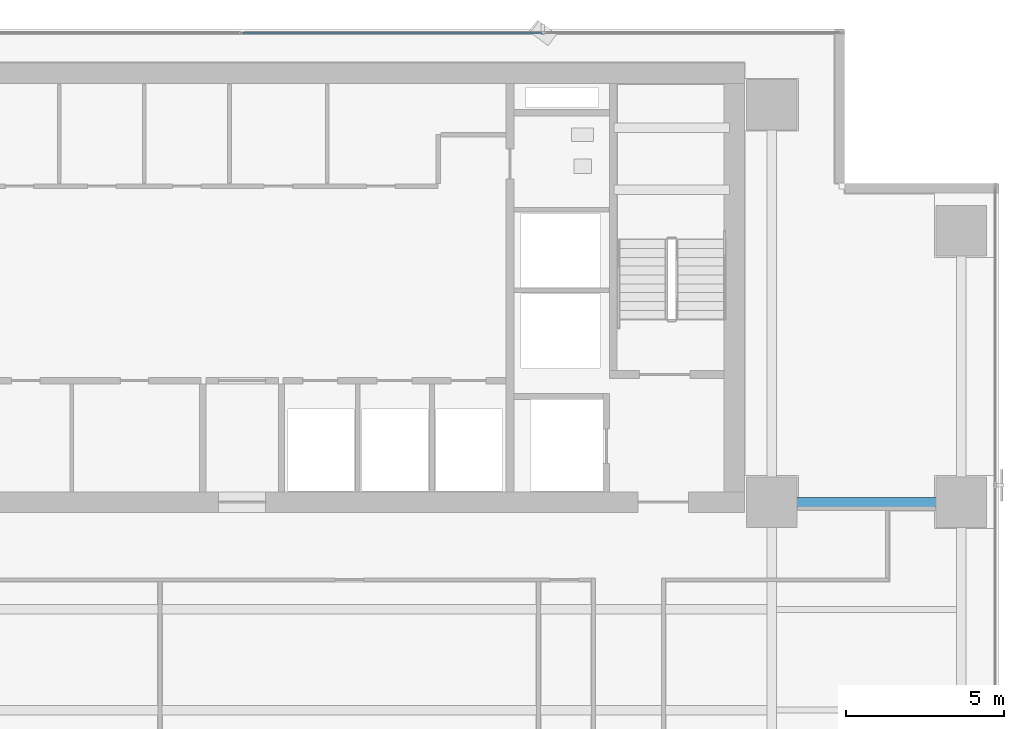
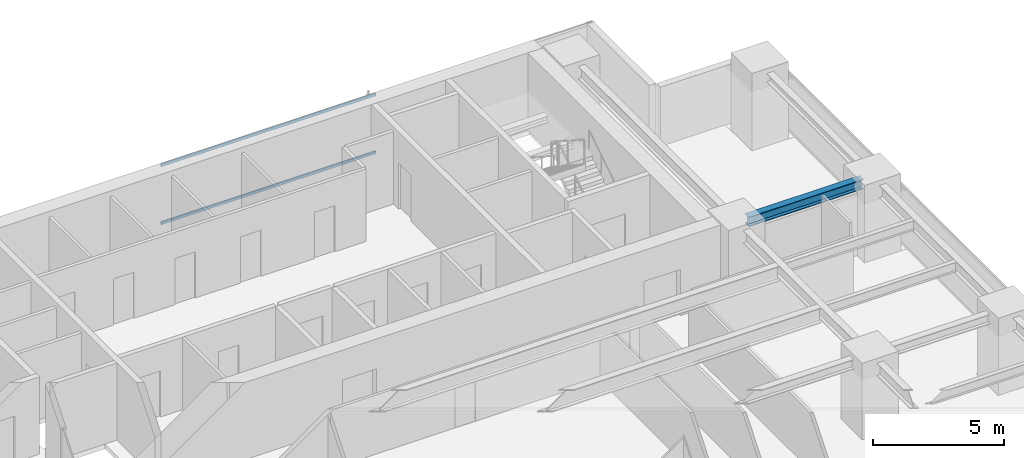
# One storey, part 17 of 27: 2 members, 1 beam, 1 element without a shape of its own.
"""IFC4 building model written with IfcOpenShell, lengths in metres."""

import ifcopenshell
import ifcopenshell.guid

model = None  # the IFC model being written
_history = None  # IfcOwnerHistory: only IFC2X3 demands one
_inside = {}  # id of a spatial element -> (the spatial element, [elements in it])
_under = {}  # id of a project, library or spatial element -> (it, [spatial elements below it])
_declared = {}  # id of a project -> (the project, [libraries it declares])
_typed = {}  # id of a type object -> (the type object, [elements of that type])
_made_of = {}  # id of a material, layer set ... -> (it, [elements and type objects made of it])


def new_model(schema):
    """Start an empty IFC model of exactly this schema.

    Asked for "IFC4X3", IfcOpenShell would pick the latest addendum, in which some entities
    have other attributes; the version numbers below select the first issue.
    IFC2X3 requires an IfcOwnerHistory on every rooted entity: one is made here for all.
    """
    global model, _history
    if schema == "IFC4X3":
        model = ifcopenshell.file(schema_version=(4, 3, 0, 0))
    else:
        model = ifcopenshell.file(schema=schema)
    _inside.clear()
    _under.clear()
    _declared.clear()
    _typed.clear()
    _made_of.clear()
    _history = None
    if model.schema == "IFC2X3":
        org = make("IfcOrganization", Name="unknown")
        user = make(
            "IfcPersonAndOrganization",
            ThePerson=make("IfcPerson", FamilyName="unknown"),
            TheOrganization=org,
        )
        app = make(
            "IfcApplication",
            ApplicationDeveloper=org,
            Version="unknown",
            ApplicationFullName="unknown",
            ApplicationIdentifier="unknown",
        )
        _history = make(
            "IfcOwnerHistory",
            OwningUser=user,
            OwningApplication=app,
            ChangeAction="ADDED",
            CreationDate=0,
        )
    return model


def make(cls, **values):
    """One entity of the class cls with the attributes given. An attribute that is None is left unset."""
    return model.create_entity(
        cls, **{name: value for name, value in values.items() if value is not None}
    )


def rooted(cls, **values):
    """An entity with a GlobalId (a new one), such as an element, a storey or a relation."""
    return make(cls, GlobalId=ifcopenshell.guid.new(), OwnerHistory=_history, **values)


def si_unit(unit_type, name, prefix=None):
    """IfcSIUnit, for example si_unit("LENGTHUNIT", "METRE", prefix="MILLI")."""
    return make("IfcSIUnit", UnitType=unit_type, Prefix=prefix, Name=name)


def assignment(units):
    """IfcUnitAssignment: the units of a project."""
    return None if units is None else make("IfcUnitAssignment", Units=units)


def point(xyz):
    """IfcCartesianPoint."""
    return None if xyz is None else make("IfcCartesianPoint", Coordinates=xyz)


def direction(xyz):
    """IfcDirection."""
    return None if xyz is None else make("IfcDirection", DirectionRatios=xyz)


def frame(location, z_axis=None, x_axis=None):
    """IfcAxis2Placement3D, a coordinate frame: its origin and axes. An axis left out is left unset."""
    return make(
        "IfcAxis2Placement3D",
        Location=point(location),
        Axis=direction(z_axis),
        RefDirection=direction(x_axis),
    )


def frame_2d(location, x_axis=None):
    """IfcAxis2Placement2D, a coordinate frame in the plane: its origin and x axis."""
    return make(
        "IfcAxis2Placement2D", Location=point(location), RefDirection=direction(x_axis)
    )


def origin():
    """The frame at (0, 0, 0) with its axes left unset."""
    return frame((0.0, 0.0, 0.0))


def origin_2d():
    """The frame at (0, 0) in the plane with its x axis left unset."""
    return frame_2d((0.0, 0.0))


def place(relative_to, where):
    """IfcLocalPlacement: puts the frame where relative to a parent placement (None: the world)."""
    return make(
        "IfcLocalPlacement", PlacementRelTo=relative_to, RelativePlacement=where
    )


def context(
    kind, dimensions, precision=None, world=None, true_north=None, identifier=None
):
    """IfcGeometricRepresentationContext, for example the 3D "Model" context."""
    return make(
        "IfcGeometricRepresentationContext",
        ContextIdentifier=identifier,
        ContextType=kind,
        CoordinateSpaceDimension=dimensions,
        Precision=precision,
        WorldCoordinateSystem=world,
        TrueNorth=true_north,
    )


def subcontext(parent, identifier, kind, view, scale=None):
    """IfcGeometricRepresentationSubContext, for example "Body" below "Model"."""
    return make(
        "IfcGeometricRepresentationSubContext",
        ContextIdentifier=identifier,
        ContextType=kind,
        ParentContext=parent,
        TargetScale=scale,
        TargetView=view,
    )


def project(units=None, contexts=None):
    """IfcProject with its units and contexts."""
    return rooted(
        "IfcProject",
        Name="project",
        RepresentationContexts=contexts,
        UnitsInContext=assignment(units),
    )


def spatial(cls, under=None, at=None, **own):
    """A site, building, storey or space (cls), placed at a placement, below another one or the project."""
    s = rooted(cls, ObjectPlacement=at, **own)
    if under is not None:
        _under.setdefault(under.id(), (under, []))[1].append(s)
    return s


def profile(cls, at=None, kind="AREA", **sizes):
    """A parametric profile (cls). Its sizes go by their IFC names, for example OverallWidth=200.0."""
    return make(cls, ProfileType=kind, Position=at, **sizes)


def hollow_rectangle(**sizes):
    """IfcRectangleHollowProfileDef."""
    return profile("IfcRectangleHollowProfileDef", **sizes)


def i_section(**sizes):
    """IfcIShapeProfileDef."""
    return profile("IfcIShapeProfileDef", **sizes)


def extrude(swept, where, along, depth):
    """IfcExtrudedAreaSolid: the profile swept, set in the frame where, extruded along a direction by depth."""
    return make(
        "IfcExtrudedAreaSolid",
        SweptArea=swept,
        Position=where,
        ExtrudedDirection=direction(along),
        Depth=depth,
    )


def shape(context_of_items, identifier, shape_type, items):
    """IfcShapeRepresentation: the items that make up one representation, for example the "Body"."""
    return make(
        "IfcShapeRepresentation",
        ContextOfItems=context_of_items,
        RepresentationIdentifier=identifier,
        RepresentationType=shape_type,
        Items=items,
    )


def source(mapping_origin, context_of_items, identifier, shape_type, items):
    """IfcRepresentationMap: a shape defined once, which mapped items show again and again."""
    return make(
        "IfcRepresentationMap",
        MappingOrigin=mapping_origin,
        MappedRepresentation=shape(context_of_items, identifier, shape_type, items),
    )


def transform(
    local_origin,
    x_axis=None,
    y_axis=None,
    z_axis=None,
    scale=None,
    scale2=None,
    scale3=None,
    uniform=True,
):
    """IfcCartesianTransformationOperator3D, or its non-uniform kind. x_axis, y_axis, z_axis: its Axis1, 2, 3."""
    if uniform:
        return make(
            "IfcCartesianTransformationOperator3D",
            Axis1=direction(x_axis),
            Axis2=direction(y_axis),
            LocalOrigin=point(local_origin),
            Scale=scale,
            Axis3=direction(z_axis),
        )
    return make(
        "IfcCartesianTransformationOperator3DnonUniform",
        Axis1=direction(x_axis),
        Axis2=direction(y_axis),
        LocalOrigin=point(local_origin),
        Scale=scale,
        Axis3=direction(z_axis),
        Scale2=scale2,
        Scale3=scale3,
    )


def mapped(mapping_source, mapping_target):
    """IfcMappedItem: shows the shape of a source again, moved by a transform."""
    return make(
        "IfcMappedItem", MappingSource=mapping_source, MappingTarget=mapping_target
    )


def material(Name=None, Category=None):
    """IfcMaterial."""
    return make("IfcMaterial", Name=Name, Category=Category)


def layer(
    of_material, thickness, ventilated=None, Name=None, Category=None, Priority=None
):
    """IfcMaterialLayer: one layer of a wall or slab, of a material (None: an air gap)."""
    return make(
        "IfcMaterialLayer",
        Material=of_material,
        LayerThickness=thickness,
        IsVentilated=ventilated,
        Name=Name,
        Category=Category,
        Priority=Priority,
    )


def layer_set(layers, Name=None):
    """IfcMaterialLayerSet."""
    return make("IfcMaterialLayerSet", MaterialLayers=layers, LayerSetName=Name)


def material_profile(
    of_material, cross_section, Name=None, Category=None, Priority=None
):
    """IfcMaterialProfile: a cross section and its material."""
    return make(
        "IfcMaterialProfile",
        Name=Name,
        Material=of_material,
        Profile=cross_section,
        Priority=Priority,
        Category=Category,
    )


def profile_set(profiles, Name=None, composite=None):
    """IfcMaterialProfileSet."""
    return make(
        "IfcMaterialProfileSet",
        Name=Name,
        MaterialProfiles=profiles,
        CompositeProfile=composite,
    )


def made_of(thing, what):
    """Note that an element or type object is made of a material, layer set ...; save() writes the relation."""
    if what is not None:
        _made_of.setdefault(what.id(), (what, []))[1].append(thing)
    return thing


def type_object(cls, material=None, **own):
    """A type object (cls), such as IfcWallType, which elements share."""
    return made_of(rooted(cls, **own), material)


def element(
    cls,
    number,
    at=None,
    inside=None,
    cuts=None,
    type_object=None,
    material=None,
    context=None,
    identifier="Body",
    shape_type=None,
    held_by="IfcProductDefinitionShape",
    body=None,
    shapes=None,
    **own,
):
    """One element of the class cls, such as IfcWall. Its Tag is "e" and its number.

    at: its placement. inside: the storey or other place that contains it. cuts: it is an
    opening in that element (IfcRelVoidsElement). A single representation is given by context,
    identifier, shape_type and body (its items); several are given by shapes. held_by: the class
    of the entity that holds the representations. save() writes the other relations.
    """
    e = rooted(cls, Tag="e%d" % number, ObjectPlacement=at, **own)
    if body is not None:
        shapes = [shape(context, identifier, shape_type, body)]
    if shapes is not None:
        e.Representation = make(held_by, Representations=shapes)
    if inside is not None:
        _inside.setdefault(inside.id(), (inside, []))[1].append(e)
    if cuts is not None:
        rooted(
            "IfcRelVoidsElement", RelatingBuildingElement=cuts, RelatedOpeningElement=e
        )
    if type_object is not None:
        _typed.setdefault(type_object.id(), (type_object, []))[1].append(e)
    return made_of(e, material)


def aggregate(whole, parts):
    """IfcRelAggregates: a whole, such as a stair, and the parts it consists of."""
    return rooted("IfcRelAggregates", RelatingObject=whole, RelatedObjects=parts)


def save(model, path):
    """Write the relations noted so far, then the file.

    IfcRelAggregates (storeys below a building ...), IfcRelContainedInSpatialStructure (elements
    in a storey), IfcRelDefinesByType, IfcRelAssociatesMaterial and IfcRelDeclares: one each for
    every whole, place, type object, material and project.
    """
    for whole, parts in _under.values():
        aggregate(whole, parts)
    for where, things in _inside.values():
        rooted(
            "IfcRelContainedInSpatialStructure",
            RelatedElements=things,
            RelatingStructure=where,
        )
    for kind, things in _typed.values():
        rooted("IfcRelDefinesByType", RelatedObjects=things, RelatingType=kind)
    for what, things in _made_of.values():
        rooted("IfcRelAssociatesMaterial", RelatedObjects=things, RelatingMaterial=what)
    for by, libraries in _declared.values():
        rooted("IfcRelDeclares", RelatingContext=by, RelatedDefinitions=libraries)
    model.write(path)


model = new_model("IFC4")

# Units and contexts
model_context = context("Model", 3, precision=1e-05, world=origin(), true_north=direction((0.0, 1.0)))
body_context = subcontext(model_context, "Body", "Model", "MODEL_VIEW")
ifc_project = project(units=[si_unit("LENGTHUNIT", "METRE"), si_unit("AREAUNIT", "SQUARE_METRE"), si_unit("VOLUMEUNIT", "CUBIC_METRE"), si_unit("PLANEANGLEUNIT", "RADIAN"), si_unit("MASSUNIT", "GRAM", prefix="KILO")], contexts=[model_context])

# Site, building, storey
site_placement = place(None, origin())
site = spatial("IfcSite", under=ifc_project, at=site_placement, CompositionType="ELEMENT")
building_placement = place(site_placement, origin())
building = spatial("IfcBuilding", under=site, at=building_placement, Name="Sumidabori Civic Tower", CompositionType="ELEMENT")
storey_placement = place(building_placement, frame((0.0, 0.0, 138.800048828125)))
storey = spatial("IfcBuildingStorey", under=building, at=storey_placement, Name="L35", CompositionType="ELEMENT", Elevation=138.800048828125)

# Beam
ifc_material_1 = material(Name="Steel SN490", Category="steel")
ifc_material_profile_1 = material_profile(ifc_material_1, i_section(OverallWidth=0.300048828125, OverallDepth=0.449951171875, WebThickness=0.013916015625, FlangeThickness=0.02587890625, at=origin_2d()), Name="HE 450 B")
ifc_profile_set_1 = profile_set([ifc_material_profile_1], Name="Steel SN490")
beam_type = type_object("IfcBeamType", Name="BM-GIRD-450", PredefinedType="BEAM", material=ifc_profile_set_1)
shared_shape_1 = source(origin(), body_context, "Body", "SweptSolid", [
    extrude(i_section(OverallWidth=0.300048828125, OverallDepth=0.449951171875, WebThickness=0.013916015625, FlangeThickness=0.02587890625, at=origin_2d()), origin(), (0.0, 0.0, 1.0), 5.0400390625),
])
beam_placement = place(storey_placement, frame((17.280029296875, 10.199951171875, 3.155029296875), z_axis=(1.0, 0.0, 0.0), x_axis=(0.0, 1.0, 0.0)))
element("IfcBeam", 1, at=beam_placement, inside=storey, type_object=beam_type, Name="Primary Girder L35 GX-18", PredefinedType="BEAM", context=body_context, shape_type="MappedRepresentation", body=[
    mapped(shared_shape_1, transform((0.0, 0.0, 0.0), x_axis=(1.0, 0.0, 0.0), y_axis=(0.0, 1.0, 0.0), z_axis=(0.0, 0.0, 1.0), scale=1.0)),
])

# Curtain wall, members
ifc_material_2 = material(Name="Anodised Bronze Aluminium AW-6063-T6", Category="aluminium")
ifc_layer = layer(ifc_material_2, 0.179931640625, Name="Anodised Bronze Aluminium AW-6063-T6")
ifc_layer_set = layer_set([ifc_layer], Name="Anodised Bronze Aluminium AW-6063-T6")
curtain_wall_type = type_object("IfcCurtainWallType", Name="CW-SYS-3", PredefinedType="NOTDEFINED", material=ifc_layer_set)
curtain_wall_placement = place(storey_placement, origin())
curtain_wall = element("IfcCurtainWall", 2, at=curtain_wall_placement, inside=storey, type_object=curtain_wall_type, Name="Curtain Wall CW:L35:R07", PredefinedType="NOTDEFINED")
ifc_material_profile_2 = material_profile(ifc_material_2, hollow_rectangle(XDim=0.06005859375, YDim=0.1298828125, WallThickness=0.0048828125, at=origin_2d()), Name="ALU TRANSOM 130x60")
ifc_profile_set_2 = profile_set([ifc_material_profile_2], Name="Anodised Bronze Aluminium AW-6063-T6")
member_type = type_object("IfcMemberType", Name="CW-TRN-130", PredefinedType="USERDEFINED", material=ifc_profile_set_2)
shared_shape_2 = source(origin(), body_context, "Body", "SweptSolid", [
    extrude(hollow_rectangle(XDim=0.06005859375, YDim=0.1298828125, WallThickness=0.0048828125, at=origin_2d()), origin(), (0.0, 0.0, 1.0), 9.469970703125),
])
member_1_placement = place(storey_placement, frame((9.50244140625, 25.080078125, 0.030029296875), z_axis=(-1.0, 0.0, 0.0), x_axis=(0.0, -1.0, 0.0)))
member_1 = element("IfcMember", 3, at=member_1_placement, type_object=member_type, Name="CW-3 transom 2.1", ObjectType="TRANSOM", PredefinedType="USERDEFINED", context=body_context, shape_type="MappedRepresentation", body=[
    mapped(shared_shape_2, transform((0.0, 0.0, 0.0), x_axis=(1.0, 0.0, 0.0), y_axis=(0.0, 1.0, 0.0), z_axis=(0.0, 0.0, 1.0), scale=1.0)),
])
member_2_placement = place(storey_placement, frame((9.50244140625, 25.080078125, 2.72998046875), z_axis=(-1.0, 0.0, 0.0), x_axis=(0.0, -1.0, 0.0)))
member_2 = element("IfcMember", 4, at=member_2_placement, type_object=member_type, Name="CW-3 transom 2.2", ObjectType="TRANSOM", PredefinedType="USERDEFINED", context=body_context, shape_type="MappedRepresentation", body=[
    mapped(shared_shape_2, transform((0.0, 0.0, 0.0), x_axis=(1.0, 0.0, 0.0), y_axis=(0.0, 1.0, 0.0), z_axis=(0.0, 0.0, 1.0), scale=1.0)),
])
aggregate(curtain_wall, [member_1, member_2])

save(model, "model.ifc")
